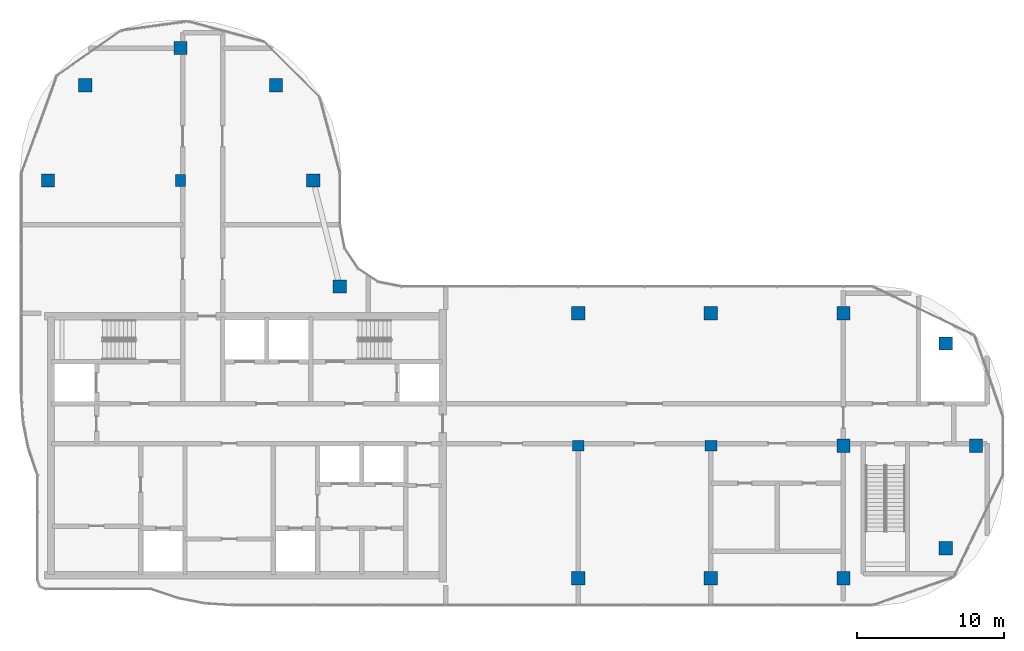
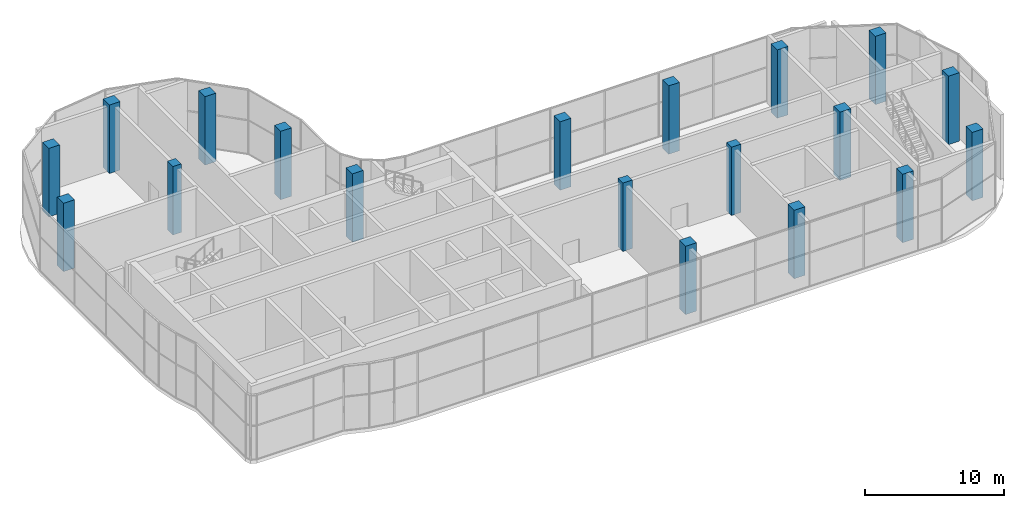
# One storey, part 1 of 19: 19 columns.
"""IFC4 building model written with IfcOpenShell, lengths in metres."""

from ifc_helpers import new_model, si_unit, direction, frame, origin, origin_2d, place, context, subcontext, project, spatial, rectangle, extrude, material, material_profile, profile_set, type_object, element, save


model = new_model("IFC4")

# Units and contexts
model_context = context("Model", 3, precision=1e-05, world=origin(), true_north=direction((0.0, 1.0)))
body_context = subcontext(model_context, "Body", "Model", "MODEL_VIEW")
ifc_project = project(units=[si_unit("LENGTHUNIT", "METRE"), si_unit("AREAUNIT", "SQUARE_METRE"), si_unit("VOLUMEUNIT", "CUBIC_METRE"), si_unit("PLANEANGLEUNIT", "RADIAN"), si_unit("MASSUNIT", "GRAM", prefix="KILO")], contexts=[model_context])

# Site, building, storey
site_placement = place(None, origin())
site = spatial("IfcSite", under=ifc_project, at=site_placement, CompositionType="ELEMENT")
building_placement = place(site_placement, origin())
building = spatial("IfcBuilding", under=site, at=building_placement, Name="Ogive Portal Towers", CompositionType="ELEMENT")
storey_placement = place(building_placement, frame((0.0, 0.0, 254.89990234375)))
storey = spatial("IfcBuildingStorey", under=building, at=storey_placement, Name="L63", CompositionType="ELEMENT", Elevation=254.89990234375)

# Columns
ifc_material = material(Name="Concrete C60/75", Category="concrete")
ifc_material_profile_1 = material_profile(ifc_material, rectangle(XDim=0.800048828125, YDim=0.699951171875, at=origin_2d()), Name="RC 800x700")
ifc_profile_set_1 = profile_set([ifc_material_profile_1], Name="Concrete C60/75")
column_type_1 = type_object("IfcColumnType", Name="COLUMN RC 800x700", PredefinedType="COLUMN", material=ifc_profile_set_1)
for number, where, z_axis, x_axis, name in (
    (1, (67.5, 30.5, 0.0), (0.0, 0.0, 1.0), (1.0, 0.0, 0.0), "Column 5/B L63"),
    (2, (76.5, 30.5, 0.0), (0.0, 0.0, 1.0), (1.0, 0.0, 0.0), "Column 6/B L63"),
    (3, (40.5, 48.5, 0.0), (0.0, 0.0, 1.0), (0.0, 1.0, 0.0), "Column 2/D L63"),
):
    element("IfcColumn", number, at=place(storey_placement, frame(where, z_axis=z_axis, x_axis=x_axis)), inside=storey, type_object=column_type_1, Name=name, PredefinedType="COLUMN", context=body_context, shape_type="SweptSolid", body=[
        extrude(rectangle(XDim=0.800048828125, YDim=0.699951171875, at=origin_2d()), origin(), (0.0, 0.0, 1.0), 6.0),
    ])
ifc_material_profile_2 = material_profile(ifc_material, rectangle(XDim=0.89990234375, YDim=0.89990234375, at=origin_2d()), Name="RC 900x900")
ifc_profile_set_2 = profile_set([ifc_material_profile_2], Name="Concrete C60/75")
column_type_2 = type_object("IfcColumnType", Name="COLUMN RC 900x900", PredefinedType="COLUMN", material=ifc_profile_set_2)
for number, where, z_axis, x_axis, name in (
    (4, (67.5, 21.5, 0.0), (0.0, 0.0, 1.0), (1.0, 0.0, 0.0), "Column 5/A L63"),
    (5, (76.5, 21.5, 0.0), (0.0, 0.0, 1.0), (1.0, 0.0, 0.0), "Column 6/A L63"),
    (6, (85.5, 21.5, 0.0), (0.0, 0.0, 1.0), (1.0, 0.0, 0.0), "Column 7/A L63"),
    (7, (92.449951171875, 23.550048828125, 0.0), (0.0, 0.0, 1.0), (1.0, 0.0, 0.0), "Column L63"),
    (8, (85.5, 30.5, 0.0), (0.0, 0.0, 1.0), (1.0, 0.0, 0.0), "Column 7/B L63"),
    (9, (94.5, 30.5, 0.0), (0.0, 0.0, 1.0), (1.0, 0.0, 0.0), "Column 8/B L63"),
    (10, (92.449951171875, 37.449951171875, 0.0), (0.0, 0.0, 1.0), (1.0, 0.0, 0.0), "Column L63"),
    (11, (67.5, 39.5, 0.0), (0.0, 0.0, 1.0), (1.0, 0.0, 0.0), "Column 5/C L63"),
    (12, (76.5, 39.5, 0.0), (0.0, 0.0, 1.0), (1.0, 0.0, 0.0), "Column 6/C L63"),
    (13, (85.5, 39.5, 0.0), (0.0, 0.0, 1.0), (1.0, 0.0, 0.0), "Column 7/C L63"),
    (14, (51.31005859375, 41.31005859375, 0.0), (0.0, 0.0, 1.0), (1.0, 0.0, 0.0), "Column L63"),
    (15, (31.5, 48.5, 0.0), (0.0, 0.0, 1.0), (1.0, 0.0, 0.0), "Column 1/D L63"),
    (16, (49.5, 48.5, 0.0), (0.0, 0.0, 1.0), (1.0, 0.0, 0.0), "Column 3/D L63"),
    (17, (34.027099609375, 54.972900390625, 0.0), (0.0, 0.0, 1.0), (1.0, 0.0, 0.0), "Column L63"),
    (18, (46.972900390625, 54.972900390625, 0.0), (0.0, 0.0, 1.0), (1.0, 0.0, 0.0), "Column L63"),
    (19, (40.5, 57.5, 0.0), (0.0, 0.0, 1.0), (1.0, 0.0, 0.0), "Column 2/E L63"),
):
    element("IfcColumn", number, at=place(storey_placement, frame(where, z_axis=z_axis, x_axis=x_axis)), inside=storey, type_object=column_type_2, Name=name, PredefinedType="COLUMN", context=body_context, shape_type="SweptSolid", body=[
        extrude(rectangle(XDim=0.89990234375, YDim=0.89990234375, at=origin_2d()), origin(), (0.0, 0.0, 1.0), 6.0),
    ])

save(model, "model.ifc")
